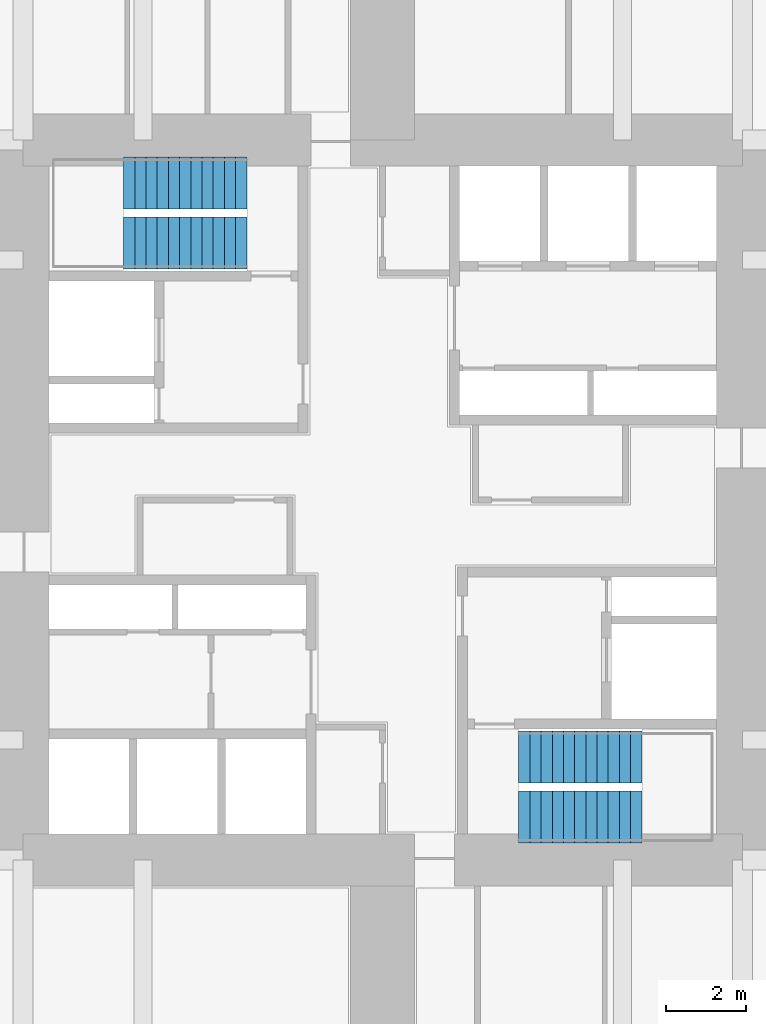
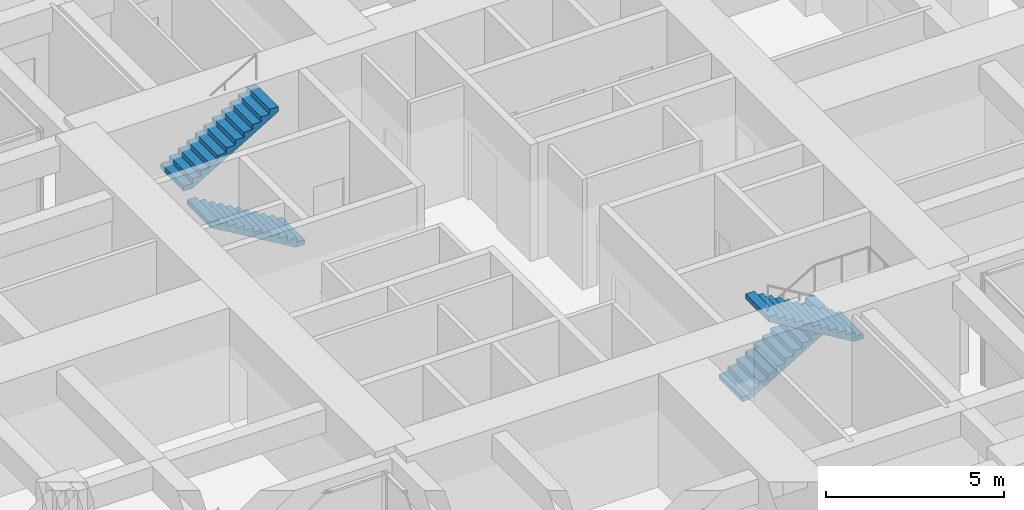
# One storey, part 12 of 13: 4 stair flights, 2 elements without a shape of their own.
"""IFC4 building model written with IfcOpenShell, lengths in metres."""

from ifc_helpers import new_model, si_unit, direction, frame, origin, place, context, subcontext, project, spatial, polyline, outline, extrude, material, type_object, element, aggregate, save


model = new_model("IFC4")

# Units and contexts
model_context = context("Model", 3, precision=1e-05, world=origin(), true_north=direction((0.0, 1.0)))
body_context = subcontext(model_context, "Body", "Model", "MODEL_VIEW")
ifc_project = project(units=[si_unit("LENGTHUNIT", "METRE"), si_unit("AREAUNIT", "SQUARE_METRE"), si_unit("VOLUMEUNIT", "CUBIC_METRE"), si_unit("PLANEANGLEUNIT", "RADIAN"), si_unit("MASSUNIT", "GRAM", prefix="KILO")], contexts=[model_context])

# Site, building, storey
site_placement = place(None, origin())
site = spatial("IfcSite", under=ifc_project, at=site_placement, CompositionType="ELEMENT")
building_placement = place(site_placement, origin())
building = spatial("IfcBuilding", under=site, at=building_placement, Name="Torre Cruceta", CompositionType="ELEMENT")
storey_placement = place(building_placement, frame((0.0, 0.0, 31.5)))
storey = spatial("IfcBuildingStorey", under=building, at=storey_placement, Name="L07", CompositionType="ELEMENT", Elevation=31.5)

# Stair, stair flights
ifc_material_1 = material(Name="Concrete G30 (fck 30 MPa)", Category="concrete")
stair_type = type_object("IfcStairType", Name="STAIR HALF-TURN 1300", PredefinedType="HALF_TURN_STAIR", material=ifc_material_1)
stair_1_placement = place(storey_placement, origin())
stair_1 = element("IfcStair", 1, at=stair_1_placement, inside=storey, type_object=stair_type, Name="Stair ST1 L07", PredefinedType="HALF_TURN_STAIR")
ifc_material_2 = material(Name="Concrete G30 (fck 30 MPa)", Category="concrete")
stair_flight_type = type_object("IfcStairFlightType", Name="STAIR FLIGHT 1300", PredefinedType="STRAIGHT", material=ifc_material_2)
stair_flight_1_placement = place(storey_placement, frame((-3.39990234375, 6.425048828125, 0.0), z_axis=(0.0, 0.0, 1.0), x_axis=(-1.0, 0.0, 0.0)))
stair_flight_1 = element("IfcStairFlight", 2, at=stair_flight_1_placement, type_object=stair_flight_type, Name="ST1 flight 1", NumberOfRisers=12, NumberOfTreads=11, PredefinedType="STRAIGHT", RiserHeight=0.166666667, TreadLength=0.28, context=body_context, shape_type="SweptSolid", body=[
    extrude(outline(polyline([(0.0, 0.0), (0.0, 0.166748046875), (0.280029296875, 0.166748046875), (0.280029296875, 0.333251953125), (0.56005859375, 0.333251953125), (0.56005859375, 0.5), (0.840087890625, 0.5), (0.840087890625, 0.666748046875), (1.1201171875, 0.666748046875), (1.1201171875, 0.833251953125), (1.39990234375, 0.833251953125), (1.39990234375, 1.0), (1.679931640625, 1.0), (1.679931640625, 1.166748046875), (1.9599609375, 1.166748046875), (1.9599609375, 1.333251953125), (2.239990234375, 1.333251953125), (2.239990234375, 1.5), (2.52001953125, 1.5), (2.52001953125, 1.666748046875), (2.800048828125, 1.666748046875), (2.800048828125, 1.833251953125), (3.080078125, 1.833251953125), (3.080078125, 2.0), (3.080078125, 1.658935546875), (0.29296875, 0.0), (0.0, 0.0)])), frame((0.0, 0.64990234375, 0.0), z_axis=(0.0, -1.0, 0.0), x_axis=(1.0, 0.0, 0.0)), (0.0, 0.0, 1.0), 1.300048828125),
])
stair_flight_2_placement = place(storey_placement, frame((-6.47998046875, 7.925048828125, 2.0), z_axis=(0.0, 0.0, 1.0), x_axis=(1.0, 0.0, 0.0)))
stair_flight_2 = element("IfcStairFlight", 3, at=stair_flight_2_placement, type_object=stair_flight_type, Name="ST1 flight 2", NumberOfRisers=12, NumberOfTreads=11, PredefinedType="STRAIGHT", RiserHeight=0.166666667, TreadLength=0.28, context=body_context, shape_type="SweptSolid", body=[
    extrude(outline(polyline([(0.0, 0.0), (0.0, 0.166748046875), (0.280029296875, 0.166748046875), (0.280029296875, 0.333251953125), (0.56005859375, 0.333251953125), (0.56005859375, 0.5), (0.840087890625, 0.5), (0.840087890625, 0.666748046875), (1.1201171875, 0.666748046875), (1.1201171875, 0.833251953125), (1.39990234375, 0.833251953125), (1.39990234375, 1.0), (1.679931640625, 1.0), (1.679931640625, 1.166748046875), (1.9599609375, 1.166748046875), (1.9599609375, 1.333251953125), (2.239990234375, 1.333251953125), (2.239990234375, 1.5), (2.52001953125, 1.5), (2.52001953125, 1.666748046875), (2.800048828125, 1.666748046875), (2.800048828125, 1.833251953125), (3.080078125, 1.833251953125), (3.080078125, 2.0), (3.080078125, 1.658935546875), (0.29296875, 0.0), (0.0, 0.0)])), frame((0.0, 0.64990234375, 0.0), z_axis=(0.0, -1.0, 0.0), x_axis=(1.0, 0.0, 0.0)), (0.0, 0.0, 1.0), 1.300048828125),
])
aggregate(stair_1, [stair_flight_1, stair_flight_2])

stair_2_placement = place(storey_placement, origin())
stair_2 = element("IfcStair", 4, at=stair_2_placement, inside=storey, type_object=stair_type, Name="Stair ST2 L07", PredefinedType="HALF_TURN_STAIR")
stair_flight_3_placement = place(storey_placement, frame((3.39990234375, -6.425048828125, 0.0), z_axis=(0.0, 0.0, 1.0), x_axis=(1.0, 0.0, 0.0)))
stair_flight_3 = element("IfcStairFlight", 5, at=stair_flight_3_placement, type_object=stair_flight_type, Name="ST2 flight 1", NumberOfRisers=12, NumberOfTreads=11, PredefinedType="STRAIGHT", RiserHeight=0.166666667, TreadLength=0.28, context=body_context, shape_type="SweptSolid", body=[
    extrude(outline(polyline([(0.0, 0.0), (0.0, 0.166748046875), (0.280029296875, 0.166748046875), (0.280029296875, 0.333251953125), (0.56005859375, 0.333251953125), (0.56005859375, 0.5), (0.840087890625, 0.5), (0.840087890625, 0.666748046875), (1.1201171875, 0.666748046875), (1.1201171875, 0.833251953125), (1.39990234375, 0.833251953125), (1.39990234375, 1.0), (1.679931640625, 1.0), (1.679931640625, 1.166748046875), (1.9599609375, 1.166748046875), (1.9599609375, 1.333251953125), (2.239990234375, 1.333251953125), (2.239990234375, 1.5), (2.52001953125, 1.5), (2.52001953125, 1.666748046875), (2.800048828125, 1.666748046875), (2.800048828125, 1.833251953125), (3.080078125, 1.833251953125), (3.080078125, 2.0), (3.080078125, 1.658935546875), (0.29296875, 0.0), (0.0, 0.0)])), frame((0.0, 0.64990234375, 0.0), z_axis=(0.0, -1.0, 0.0), x_axis=(1.0, 0.0, 0.0)), (0.0, 0.0, 1.0), 1.300048828125),
])
stair_flight_4_placement = place(storey_placement, frame((6.47998046875, -7.925048828125, 2.0), z_axis=(0.0, 0.0, 1.0), x_axis=(-1.0, 0.0, 0.0)))
stair_flight_4 = element("IfcStairFlight", 6, at=stair_flight_4_placement, type_object=stair_flight_type, Name="ST2 flight 2", NumberOfRisers=12, NumberOfTreads=11, PredefinedType="STRAIGHT", RiserHeight=0.166666667, TreadLength=0.28, context=body_context, shape_type="SweptSolid", body=[
    extrude(outline(polyline([(0.0, 0.0), (0.0, 0.166748046875), (0.280029296875, 0.166748046875), (0.280029296875, 0.333251953125), (0.56005859375, 0.333251953125), (0.56005859375, 0.5), (0.840087890625, 0.5), (0.840087890625, 0.666748046875), (1.1201171875, 0.666748046875), (1.1201171875, 0.833251953125), (1.39990234375, 0.833251953125), (1.39990234375, 1.0), (1.679931640625, 1.0), (1.679931640625, 1.166748046875), (1.9599609375, 1.166748046875), (1.9599609375, 1.333251953125), (2.239990234375, 1.333251953125), (2.239990234375, 1.5), (2.52001953125, 1.5), (2.52001953125, 1.666748046875), (2.800048828125, 1.666748046875), (2.800048828125, 1.833251953125), (3.080078125, 1.833251953125), (3.080078125, 2.0), (3.080078125, 1.658935546875), (0.29296875, 0.0), (0.0, 0.0)])), frame((0.0, 0.64990234375, 0.0), z_axis=(0.0, -1.0, 0.0), x_axis=(1.0, 0.0, 0.0)), (0.0, 0.0, 1.0), 1.300048828125),
])
aggregate(stair_2, [stair_flight_3, stair_flight_4])

save(model, "model.ifc")
